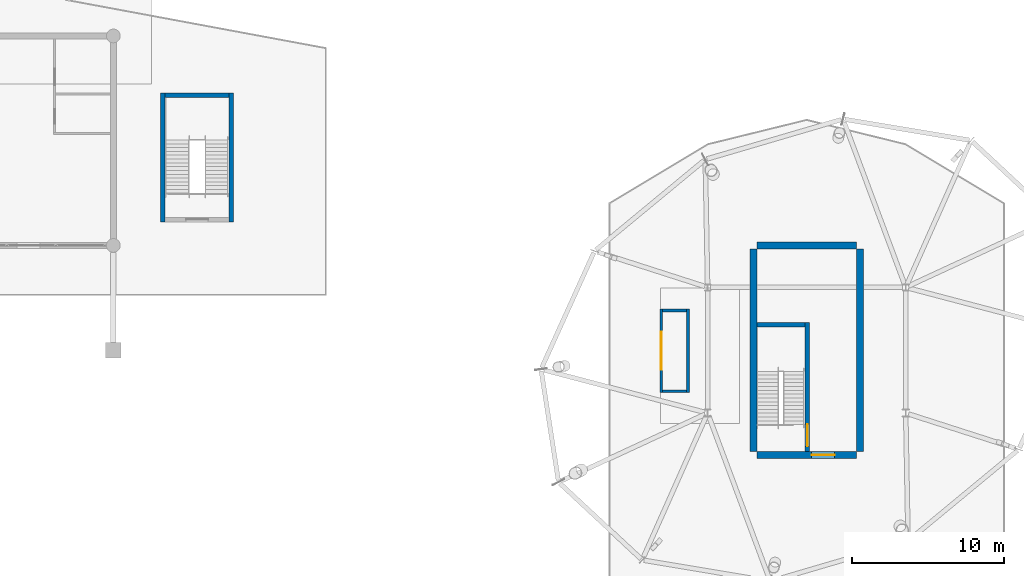
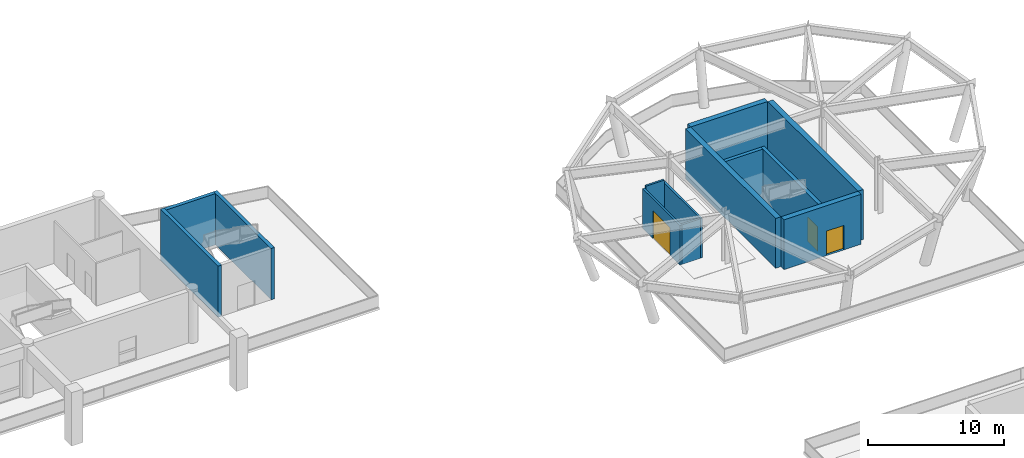
# One storey, part 75 of 91: 13 walls, 3 doors, 3 openings.
"""IFC4 building model written with IfcOpenShell, lengths in metres."""

import ifcopenshell
import ifcopenshell.guid

model = None  # the IFC model being written
_history = None  # IfcOwnerHistory: only IFC2X3 demands one
_inside = {}  # id of a spatial element -> (the spatial element, [elements in it])
_under = {}  # id of a project, library or spatial element -> (it, [spatial elements below it])
_declared = {}  # id of a project -> (the project, [libraries it declares])
_typed = {}  # id of a type object -> (the type object, [elements of that type])
_made_of = {}  # id of a material, layer set ... -> (it, [elements and type objects made of it])


def new_model(schema):
    """Start an empty IFC model of exactly this schema.

    Asked for "IFC4X3", IfcOpenShell would pick the latest addendum, in which some entities
    have other attributes; the version numbers below select the first issue.
    IFC2X3 requires an IfcOwnerHistory on every rooted entity: one is made here for all.
    """
    global model, _history
    if schema == "IFC4X3":
        model = ifcopenshell.file(schema_version=(4, 3, 0, 0))
    else:
        model = ifcopenshell.file(schema=schema)
    _inside.clear()
    _under.clear()
    _declared.clear()
    _typed.clear()
    _made_of.clear()
    _history = None
    if model.schema == "IFC2X3":
        org = make("IfcOrganization", Name="unknown")
        user = make(
            "IfcPersonAndOrganization",
            ThePerson=make("IfcPerson", FamilyName="unknown"),
            TheOrganization=org,
        )
        app = make(
            "IfcApplication",
            ApplicationDeveloper=org,
            Version="unknown",
            ApplicationFullName="unknown",
            ApplicationIdentifier="unknown",
        )
        _history = make(
            "IfcOwnerHistory",
            OwningUser=user,
            OwningApplication=app,
            ChangeAction="ADDED",
            CreationDate=0,
        )
    return model


def make(cls, **values):
    """One entity of the class cls with the attributes given. An attribute that is None is left unset."""
    return model.create_entity(
        cls, **{name: value for name, value in values.items() if value is not None}
    )


def rooted(cls, **values):
    """An entity with a GlobalId (a new one), such as an element, a storey or a relation."""
    return make(cls, GlobalId=ifcopenshell.guid.new(), OwnerHistory=_history, **values)


def si_unit(unit_type, name, prefix=None):
    """IfcSIUnit, for example si_unit("LENGTHUNIT", "METRE", prefix="MILLI")."""
    return make("IfcSIUnit", UnitType=unit_type, Prefix=prefix, Name=name)


def assignment(units):
    """IfcUnitAssignment: the units of a project."""
    return None if units is None else make("IfcUnitAssignment", Units=units)


def point(xyz):
    """IfcCartesianPoint."""
    return None if xyz is None else make("IfcCartesianPoint", Coordinates=xyz)


def direction(xyz):
    """IfcDirection."""
    return None if xyz is None else make("IfcDirection", DirectionRatios=xyz)


def frame(location, z_axis=None, x_axis=None):
    """IfcAxis2Placement3D, a coordinate frame: its origin and axes. An axis left out is left unset."""
    return make(
        "IfcAxis2Placement3D",
        Location=point(location),
        Axis=direction(z_axis),
        RefDirection=direction(x_axis),
    )


def frame_2d(location, x_axis=None):
    """IfcAxis2Placement2D, a coordinate frame in the plane: its origin and x axis."""
    return make(
        "IfcAxis2Placement2D", Location=point(location), RefDirection=direction(x_axis)
    )


def origin():
    """The frame at (0, 0, 0) with its axes left unset."""
    return frame((0.0, 0.0, 0.0))


def place(relative_to, where):
    """IfcLocalPlacement: puts the frame where relative to a parent placement (None: the world)."""
    return make(
        "IfcLocalPlacement", PlacementRelTo=relative_to, RelativePlacement=where
    )


def context(
    kind, dimensions, precision=None, world=None, true_north=None, identifier=None
):
    """IfcGeometricRepresentationContext, for example the 3D "Model" context."""
    return make(
        "IfcGeometricRepresentationContext",
        ContextIdentifier=identifier,
        ContextType=kind,
        CoordinateSpaceDimension=dimensions,
        Precision=precision,
        WorldCoordinateSystem=world,
        TrueNorth=true_north,
    )


def subcontext(parent, identifier, kind, view, scale=None):
    """IfcGeometricRepresentationSubContext, for example "Body" below "Model"."""
    return make(
        "IfcGeometricRepresentationSubContext",
        ContextIdentifier=identifier,
        ContextType=kind,
        ParentContext=parent,
        TargetScale=scale,
        TargetView=view,
    )


def project(units=None, contexts=None):
    """IfcProject with its units and contexts."""
    return rooted(
        "IfcProject",
        Name="project",
        RepresentationContexts=contexts,
        UnitsInContext=assignment(units),
    )


def spatial(cls, under=None, at=None, **own):
    """A site, building, storey or space (cls), placed at a placement, below another one or the project."""
    s = rooted(cls, ObjectPlacement=at, **own)
    if under is not None:
        _under.setdefault(under.id(), (under, []))[1].append(s)
    return s


def profile(cls, at=None, kind="AREA", **sizes):
    """A parametric profile (cls). Its sizes go by their IFC names, for example OverallWidth=200.0."""
    return make(cls, ProfileType=kind, Position=at, **sizes)


def rectangle(**sizes):
    """IfcRectangleProfileDef."""
    return profile("IfcRectangleProfileDef", **sizes)


def extrude(swept, where, along, depth):
    """IfcExtrudedAreaSolid: the profile swept, set in the frame where, extruded along a direction by depth."""
    return make(
        "IfcExtrudedAreaSolid",
        SweptArea=swept,
        Position=where,
        ExtrudedDirection=direction(along),
        Depth=depth,
    )


def shape(context_of_items, identifier, shape_type, items):
    """IfcShapeRepresentation: the items that make up one representation, for example the "Body"."""
    return make(
        "IfcShapeRepresentation",
        ContextOfItems=context_of_items,
        RepresentationIdentifier=identifier,
        RepresentationType=shape_type,
        Items=items,
    )


def material(Name=None, Category=None):
    """IfcMaterial."""
    return make("IfcMaterial", Name=Name, Category=Category)


def layer(
    of_material, thickness, ventilated=None, Name=None, Category=None, Priority=None
):
    """IfcMaterialLayer: one layer of a wall or slab, of a material (None: an air gap)."""
    return make(
        "IfcMaterialLayer",
        Material=of_material,
        LayerThickness=thickness,
        IsVentilated=ventilated,
        Name=Name,
        Category=Category,
        Priority=Priority,
    )


def layer_set(layers, Name=None):
    """IfcMaterialLayerSet."""
    return make("IfcMaterialLayerSet", MaterialLayers=layers, LayerSetName=Name)


def made_of(thing, what):
    """Note that an element or type object is made of a material, layer set ...; save() writes the relation."""
    if what is not None:
        _made_of.setdefault(what.id(), (what, []))[1].append(thing)
    return thing


def type_object(cls, material=None, **own):
    """A type object (cls), such as IfcWallType, which elements share."""
    return made_of(rooted(cls, **own), material)


def element(
    cls,
    number,
    at=None,
    inside=None,
    cuts=None,
    type_object=None,
    material=None,
    context=None,
    identifier="Body",
    shape_type=None,
    held_by="IfcProductDefinitionShape",
    body=None,
    shapes=None,
    **own,
):
    """One element of the class cls, such as IfcWall. Its Tag is "e" and its number.

    at: its placement. inside: the storey or other place that contains it. cuts: it is an
    opening in that element (IfcRelVoidsElement). A single representation is given by context,
    identifier, shape_type and body (its items); several are given by shapes. held_by: the class
    of the entity that holds the representations. save() writes the other relations.
    """
    e = rooted(cls, Tag="e%d" % number, ObjectPlacement=at, **own)
    if body is not None:
        shapes = [shape(context, identifier, shape_type, body)]
    if shapes is not None:
        e.Representation = make(held_by, Representations=shapes)
    if inside is not None:
        _inside.setdefault(inside.id(), (inside, []))[1].append(e)
    if cuts is not None:
        rooted(
            "IfcRelVoidsElement", RelatingBuildingElement=cuts, RelatedOpeningElement=e
        )
    if type_object is not None:
        _typed.setdefault(type_object.id(), (type_object, []))[1].append(e)
    return made_of(e, material)


def fill(opening, filler):
    """IfcRelFillsElement: the door or window that sits in an opening."""
    return rooted(
        "IfcRelFillsElement",
        RelatingOpeningElement=opening,
        RelatedBuildingElement=filler,
    )


def aggregate(whole, parts):
    """IfcRelAggregates: a whole, such as a stair, and the parts it consists of."""
    return rooted("IfcRelAggregates", RelatingObject=whole, RelatedObjects=parts)


def save(model, path):
    """Write the relations noted so far, then the file.

    IfcRelAggregates (storeys below a building ...), IfcRelContainedInSpatialStructure (elements
    in a storey), IfcRelDefinesByType, IfcRelAssociatesMaterial and IfcRelDeclares: one each for
    every whole, place, type object, material and project.
    """
    for whole, parts in _under.values():
        aggregate(whole, parts)
    for where, things in _inside.values():
        rooted(
            "IfcRelContainedInSpatialStructure",
            RelatedElements=things,
            RelatingStructure=where,
        )
    for kind, things in _typed.values():
        rooted("IfcRelDefinesByType", RelatedObjects=things, RelatingType=kind)
    for what, things in _made_of.values():
        rooted("IfcRelAssociatesMaterial", RelatedObjects=things, RelatingMaterial=what)
    for by, libraries in _declared.values():
        rooted("IfcRelDeclares", RelatingContext=by, RelatedDefinitions=libraries)
    model.write(path)


model = new_model("IFC4")

# Units and contexts
model_context = context("Model", 3, precision=1e-05, world=origin(), true_north=direction((0.0, 1.0)))
body_context = subcontext(model_context, "Body", "Model", "MODEL_VIEW")
ifc_project = project(units=[si_unit("LENGTHUNIT", "METRE"), si_unit("AREAUNIT", "SQUARE_METRE"), si_unit("VOLUMEUNIT", "CUBIC_METRE"), si_unit("PLANEANGLEUNIT", "RADIAN"), si_unit("MASSUNIT", "GRAM", prefix="KILO")], contexts=[model_context])

# Site, building, storey
site_placement = place(None, origin())
site = spatial("IfcSite", under=ifc_project, at=site_placement, CompositionType="ELEMENT")
building_placement = place(site_placement, origin())
building = spatial("IfcBuilding", under=site, at=building_placement, Name="Linyun Crest Stadium", CompositionType="ELEMENT")
storey_placement = place(building_placement, frame((0.0, 0.0, 11.39990234375)))
storey = spatial("IfcBuildingStorey", under=building, at=storey_placement, Name="L03", CompositionType="ELEMENT", Elevation=11.39990234375)

# Walls
ifc_material_1 = material(Name="Concrete C50", Category="concrete")
ifc_layer_1 = layer(ifc_material_1, 0.449951171875)
ifc_layer_set_1 = layer_set([ifc_layer_1], Name="Concrete C50")
wall_type_1 = type_object("IfcWallType", Name="CW03", PredefinedType="SHEAR", material=ifc_layer_set_1)
for number, where, z_axis, x_axis, name in (
    (1, (70.0, 77.97509765625, 0.0), (0.0, 0.0, 1.0), (0.0, 1.0, 0.0), "Core shear wall CW03 CORE-PNE L03.1"),
    (2, (77.0, 77.97509765625, 0.0), (0.0, 0.0, 1.0), (0.0, 1.0, 0.0), "Core shear wall CW03 CORE-PNE L03.2"),
):
    element("IfcWall", number, at=place(storey_placement, frame(where, z_axis=z_axis, x_axis=x_axis)), inside=storey, type_object=wall_type_1, Name=name, PredefinedType="SHEAR", context=body_context, shape_type="SweptSolid", body=[
        extrude(rectangle(XDim=13.2998046875, YDim=0.449951171875, at=frame_2d((6.64990234375, 0.0))), origin(), (0.0, 0.0, 1.0), 4.47998046875),
    ])

# Wall, opening, door
wall_1_placement = place(storey_placement, frame((70.22509765625, 77.75, 0.0), z_axis=(0.0, 0.0, 1.0), x_axis=(1.0, 0.0, 0.0)))
wall_1 = element("IfcWall", 3, at=wall_1_placement, inside=storey, type_object=wall_type_1, Name="Core shear wall CW03 CORE-PNE L03.3", PredefinedType="SHEAR", context=body_context, shape_type="SweptSolid", body=[
    extrude(rectangle(XDim=6.5498046875, YDim=0.449951171875, at=frame_2d((3.27490234375, 0.0))), origin(), (0.0, 0.0, 1.0), 4.47998046875),
])
opening_1_placement = place(wall_1_placement, frame((3.60302734375, 0.0, 0.0)))
opening_1 = element("IfcOpeningElement", 4, at=opening_1_placement, cuts=wall_1, Name="Opening D-L03-393", PredefinedType="OPENING", context=body_context, shape_type="SweptSolid", body=[
    extrude(rectangle(XDim=1.5, YDim=2.199951171875, at=frame_2d((0.75, 1.10009765625))), frame((0.0, 0.23486328125, 0.0), z_axis=(0.0, -1.0, 0.0), x_axis=(1.0, 0.0, 0.0)), (0.0, 0.0, 1.0), 0.469970703125),
])
ifc_material_2 = material(Name="Galvanized steel Class A fire door", Category="steel")
ifc_layer_2 = layer(ifc_material_2, 0.054931640625)
ifc_layer_set_2 = layer_set([ifc_layer_2], Name="Galvanized steel Class A fire door")
door_type_1 = type_object("IfcDoorType", Name="FD01", OperationType="NOTDEFINED", PredefinedType="DOOR", material=ifc_layer_set_2)
door_1_placement = place(opening_1_placement, origin())
door_1 = element("IfcDoor", 5, at=door_1_placement, inside=storey, type_object=door_type_1, Name="Door D-L03-393", OperationType="SINGLE_SWING_LEFT", OverallHeight=2.199951171875, OverallWidth=1.5, PredefinedType="DOOR", context=body_context, shape_type="SweptSolid", body=[
    extrude(rectangle(XDim=1.5, YDim=2.199951171875, at=frame_2d((0.75, 1.10009765625))), frame((0.0, 0.02490234375, 0.0), z_axis=(0.0, -1.0, 0.0), x_axis=(1.0, 0.0, 0.0)), (0.0, 0.0, 1.0), 0.050048828125),
])
fill(opening_1, door_1)

# Wall
wall_2_placement = place(storey_placement, frame((70.22509765625, 91.5, 0.0), z_axis=(0.0, 0.0, 1.0), x_axis=(1.0, 0.0, 0.0)))
element("IfcWall", 6, at=wall_2_placement, inside=storey, type_object=wall_type_1, Name="Core shear wall CW03 CORE-PNE L03.4", PredefinedType="SHEAR", context=body_context, shape_type="SweptSolid", body=[
    extrude(rectangle(XDim=6.5498046875, YDim=0.449951171875, at=frame_2d((3.27490234375, 0.0))), origin(), (0.0, 0.0, 1.0), 4.47998046875),
])

# Wall, opening, door
ifc_material_3 = material(Name="Concourse concession fire-rated masonry wall", Category="masonry")
ifc_layer_3 = layer(ifc_material_3, 0.175048828125)
ifc_layer_set_3 = layer_set([ifc_layer_3], Name="Concourse concession fire-rated masonry wall")
wall_type_2 = type_object("IfcWallType", Name="PW24", PredefinedType="PARTITIONING", material=ifc_layer_set_3)
wall_3_placement = place(storey_placement, frame((63.9580078125, 81.85400390625, 0.0), z_axis=(0.0, 0.0, 1.0), x_axis=(0.0, 1.0, 0.0)))
wall_3 = element("IfcWall", 7, at=wall_3_placement, inside=storey, type_object=wall_type_2, Name="Partition PW24 L03 272", PredefinedType="PARTITIONING", context=body_context, shape_type="SweptSolid", body=[
    extrude(rectangle(XDim=5.469970703125, YDim=0.175048828125, at=frame_2d((2.73486328125, 0.0))), origin(), (0.0, 0.0, 1.0), 3.55517578125),
])
opening_2_placement = place(wall_3_placement, frame((1.485107421875, 0.0, 0.0)))
opening_2 = element("IfcOpeningElement", 8, at=opening_2_placement, cuts=wall_3, Name="Opening D-L03-535", PredefinedType="OPENING", context=body_context, shape_type="SweptSolid", body=[
    extrude(rectangle(XDim=2.5, YDim=2.5, at=frame_2d((1.25, 1.25))), frame((0.0, 0.097412109375, 0.0), z_axis=(0.0, -1.0, 0.0), x_axis=(1.0, 0.0, 0.0)), (0.0, 0.0, 1.0), 0.195068359375),
])
ifc_material_4 = material(Name="Verdigris framed glazed concourse door")
ifc_layer_4 = layer(ifc_material_4, 0.054931640625)
ifc_layer_set_4 = layer_set([ifc_layer_4], Name="Verdigris framed glazed concourse door")
door_type_2 = type_object("IfcDoorType", Name="ID16", OperationType="NOTDEFINED", PredefinedType="DOOR", material=ifc_layer_set_4)
door_2_placement = place(opening_2_placement, origin())
door_2 = element("IfcDoor", 9, at=door_2_placement, inside=storey, type_object=door_type_2, Name="Door D-L03-535", OperationType="DOUBLE_DOOR_SINGLE_SWING", OverallHeight=2.5, OverallWidth=2.5, PredefinedType="DOOR", context=body_context, shape_type="SweptSolid", body=[
    extrude(rectangle(XDim=2.5, YDim=2.5, at=frame_2d((1.25, 1.25))), frame((0.0, 0.02490234375, 0.0), z_axis=(0.0, -1.0, 0.0), x_axis=(1.0, 0.0, 0.0)), (0.0, 0.0, 1.0), 0.050048828125),
])
fill(opening_2, door_2)

# Walls
wall_4_placement = place(storey_placement, frame((65.7080078125, 81.85400390625, 0.0), z_axis=(0.0, 0.0, 1.0), x_axis=(0.0, 1.0, 0.0)))
element("IfcWall", 10, at=wall_4_placement, inside=storey, type_object=wall_type_2, Name="Enclosure partition PW24 L03 532", PredefinedType="PARTITIONING", context=body_context, shape_type="SweptSolid", body=[
    extrude(rectangle(XDim=5.469970703125, YDim=0.175048828125, at=frame_2d((2.73486328125, 0.0))), origin(), (0.0, 0.0, 1.0), 3.55517578125),
])
wall_5_placement = place(storey_placement, frame((64.0458984375, 81.94189453125, 0.0), z_axis=(0.0, 0.0, 1.0), x_axis=(1.0, 0.0, 0.0)))
element("IfcWall", 11, at=wall_5_placement, inside=storey, type_object=wall_type_2, Name="Enclosure partition PW24 L03 533", PredefinedType="PARTITIONING", context=body_context, shape_type="SweptSolid", body=[
    extrude(rectangle(XDim=1.57421875, YDim=0.175048828125, at=frame_2d((0.787109375, 0.0))), origin(), (0.0, 0.0, 1.0), 3.55517578125),
])
wall_6_placement = place(storey_placement, frame((64.0458984375, 87.236083984375, 0.0), z_axis=(0.0, 0.0, 1.0), x_axis=(1.0, 0.0, 0.0)))
element("IfcWall", 12, at=wall_6_placement, inside=storey, type_object=wall_type_2, Name="Enclosure partition PW24 L03 534", PredefinedType="PARTITIONING", context=body_context, shape_type="SweptSolid", body=[
    extrude(rectangle(XDim=1.57421875, YDim=0.175048828125, at=frame_2d((0.787109375, 0.0))), origin(), (0.0, 0.0, 1.0), 3.820068359375),
])

# Wall, opening, door
ifc_material_5 = material(Name="Concrete C50", Category="concrete")
ifc_layer_5 = layer(ifc_material_5, 0.300048828125)
ifc_layer_set_5 = layer_set([ifc_layer_5], Name="Concrete C50")
wall_type_3 = type_object("IfcWallType", Name="SW01", PredefinedType="SHEAR", material=ifc_layer_set_5)
wall_7_placement = place(storey_placement, frame((73.550048828125, 77.97509765625, 0.0), z_axis=(0.0, 0.0, 1.0), x_axis=(0.0, 1.0, 0.0)))
wall_7 = element("IfcWall", 13, at=wall_7_placement, inside=storey, type_object=wall_type_3, Name="Core stair east bearing wall SW01 12 L03", PredefinedType="SHEAR", context=body_context, shape_type="SweptSolid", body=[
    extrude(rectangle(XDim=8.474853515625, YDim=0.300048828125, at=frame_2d((4.2373046875, 0.0))), origin(), (0.0, 0.0, 1.0), 4.47998046875),
])
opening_3_placement = place(wall_7_placement, frame((0.344970703125, 0.0, 0.0)))
opening_3 = element("IfcOpeningElement", 14, at=opening_3_placement, cuts=wall_7, Name="Opening D-L03-394", PredefinedType="OPENING", context=body_context, shape_type="SweptSolid", body=[
    extrude(rectangle(XDim=1.449951171875, YDim=2.199951171875, at=frame_2d((0.72509765625, 1.10009765625))), frame((0.0, 0.159912109375, 0.0), z_axis=(0.0, -1.0, 0.0), x_axis=(1.0, 0.0, 0.0)), (0.0, 0.0, 1.0), 0.320068359375),
])
ifc_material_6 = material(Name="Galvanized steel Class A fire door", Category="steel")
ifc_layer_6 = layer(ifc_material_6, 0.054931640625)
ifc_layer_set_6 = layer_set([ifc_layer_6], Name="Galvanized steel Class A fire door")
door_type_3 = type_object("IfcDoorType", Name="FD02", OperationType="NOTDEFINED", PredefinedType="DOOR", material=ifc_layer_set_6)
door_3_placement = place(opening_3_placement, origin())
door_3 = element("IfcDoor", 15, at=door_3_placement, inside=storey, type_object=door_type_3, Name="Door D-L03-394", OperationType="SINGLE_SWING_RIGHT", OverallHeight=2.199951171875, OverallWidth=1.449951171875, PredefinedType="DOOR", context=body_context, shape_type="SweptSolid", body=[
    extrude(rectangle(XDim=1.449951171875, YDim=2.199951171875, at=frame_2d((0.72509765625, 1.10009765625))), frame((0.0, 0.02490234375, 0.0), z_axis=(0.0, -1.0, 0.0), x_axis=(1.0, 0.0, 0.0)), (0.0, 0.0, 1.0), 0.050048828125),
])
fill(opening_3, door_3)

# Walls
wall_8_placement = place(storey_placement, frame((70.22509765625, 86.300048828125, 0.0), z_axis=(0.0, 0.0, 1.0), x_axis=(1.0, 0.0, 0.0)))
element("IfcWall", 16, at=wall_8_placement, inside=storey, type_object=wall_type_3, Name="Core stair bearing wall SW01 12 L03", PredefinedType="SHEAR", context=body_context, shape_type="SweptSolid", body=[
    extrude(rectangle(XDim=3.1748046875, YDim=0.300048828125, at=frame_2d((1.58740234375, 0.0))), origin(), (0.0, 0.0, 1.0), 4.47998046875),
])
wall_9_placement = place(storey_placement, frame((31.39990234375, 101.35009765625, 0.0), z_axis=(0.0, 0.0, 1.0), x_axis=(1.0, 0.0, 0.0)))
element("IfcWall", 17, at=wall_9_placement, inside=storey, type_object=wall_type_3, Name="Stair shaft wall SW01 STR-26 L03 N", PredefinedType="SHEAR", context=body_context, shape_type="SweptSolid", body=[
    extrude(rectangle(XDim=4.2001953125, YDim=0.300048828125, at=frame_2d((2.10009765625, 0.0))), origin(), (0.0, 0.0, 1.0), 4.60009765625),
])
for number, where, z_axis, x_axis, name in (
    (18, (31.25, 93.050048828125, 0.0), (0.0, 0.0, 1.0), (0.0, 1.0, 0.0), "Stair shaft wall SW01 STR-26 L03 W"),
    (19, (35.75, 93.050048828125, 0.0), (0.0, 0.0, 1.0), (0.0, 1.0, 0.0), "Stair shaft wall SW01 STR-26 L03 E"),
):
    element("IfcWall", number, at=place(storey_placement, frame(where, z_axis=z_axis, x_axis=x_axis)), inside=storey, type_object=wall_type_3, Name=name, PredefinedType="SHEAR", context=body_context, shape_type="SweptSolid", body=[
        extrude(rectangle(XDim=8.449951171875, YDim=0.300048828125, at=frame_2d((4.22509765625, 0.0))), origin(), (0.0, 0.0, 1.0), 4.60009765625),
    ])

save(model, "model.ifc")
